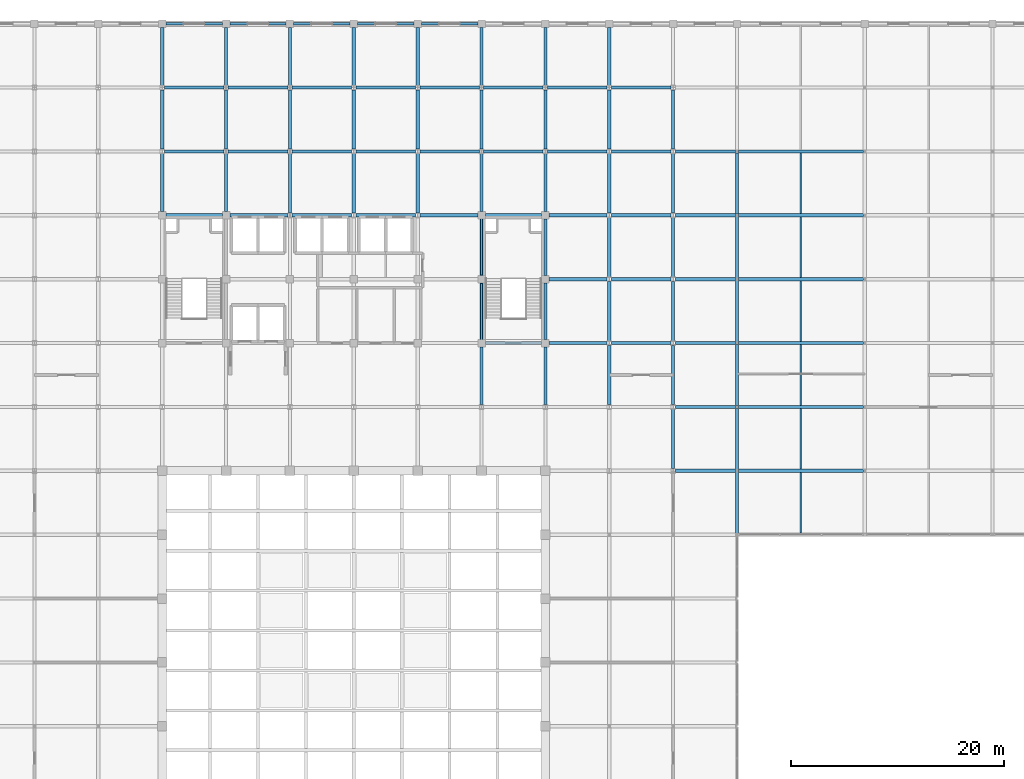
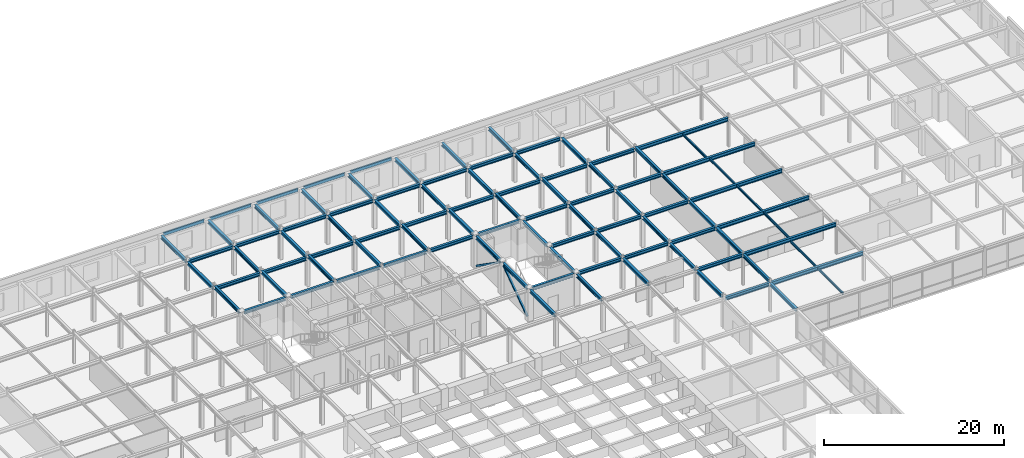
# One storey, part 80 of 111: 97 beams, 2 members.
"""IFC4 building model written with IfcOpenShell, lengths in metres."""

from ifc_helpers import new_model, si_unit, direction, frame, origin, origin_2d, place, context, subcontext, project, spatial, hollow_rectangle, i_section, extrude, material, material_profile, profile_set, type_object, element, save


model = new_model("IFC4")

# Units and contexts
model_context = context("Model", 3, precision=1e-05, world=origin(), true_north=direction((0.0, 1.0)))
body_context = subcontext(model_context, "Body", "Model", "MODEL_VIEW")
ifc_project = project(units=[si_unit("LENGTHUNIT", "METRE"), si_unit("AREAUNIT", "SQUARE_METRE"), si_unit("VOLUMEUNIT", "CUBIC_METRE"), si_unit("PLANEANGLEUNIT", "RADIAN"), si_unit("MASSUNIT", "GRAM", prefix="KILO")], contexts=[model_context])

# Site, building, storey
site_placement = place(None, origin())
site = spatial("IfcSite", under=ifc_project, at=site_placement, CompositionType="ELEMENT")
building_placement = place(site_placement, origin())
building = spatial("IfcBuilding", under=site, at=building_placement, Name="Zlatovratsky Civic Hall", CompositionType="ELEMENT")
storey_placement = place(building_placement, frame((0.0, 0.0, 16.5)))
storey = spatial("IfcBuildingStorey", under=building, at=storey_placement, Name="L04", CompositionType="ELEMENT", Elevation=16.5)

# Beams
ifc_material = material(Name="Steel S355", Category="steel")
ifc_material_profile_1 = material_profile(ifc_material, i_section(OverallWidth=0.300048828125, OverallDepth=0.487060546875, WebThickness=0.014404296875, FlangeThickness=0.017578125, FilletRadius=0.02392578125, at=origin_2d()), Name="50Sh2")
ifc_profile_set_1 = profile_set([ifc_material_profile_1], Name="Steel S355")
beam_type_1 = type_object("IfcBeamType", Name="Beam_ArchiveGirder_50Sh2", PredefinedType="BEAM", material=ifc_profile_set_1)
for number, where, z_axis, x_axis, name in (
    (1, (120.125, 72.0, 3.756591796875), (1.0, 0.0, 0.0), (0.0, 1.0, 0.0), "BM-3357"),
    (2, (120.125, 78.0, 4.03662109375), (1.0, 0.0, 0.0), (0.0, 1.0, 0.0), "BM-3379"),
    (3, (120.125, 84.0, 4.03662109375), (1.0, 0.0, 0.0), (0.0, 1.0, 0.0), "BM-3401"),
    (4, (120.125, 90.0, 4.03662109375), (1.0, 0.0, 0.0), (0.0, 1.0, 0.0), "BM-3420"),
    (5, (120.125, 96.0, 4.03662109375), (1.0, 0.0, 0.0), (0.0, 1.0, 0.0), "BM-3441"),
    (6, (120.125, 102.0, 3.756591796875), (1.0, 0.0, 0.0), (0.0, 1.0, 0.0), "BM-3463"),
):
    element("IfcBeam", number, at=place(storey_placement, frame(where, z_axis=z_axis, x_axis=x_axis)), inside=storey, type_object=beam_type_1, Name=name, PredefinedType="BEAM", context=body_context, shape_type="SweptSolid", body=[
        extrude(i_section(OverallWidth=0.300048828125, OverallDepth=0.487060546875, WebThickness=0.014404296875, FlangeThickness=0.017578125, FilletRadius=0.02392578125, at=origin_2d()), origin(), (0.0, 0.0, 1.0), 11.75),
    ])
ifc_material_profile_2 = material_profile(ifc_material, i_section(OverallWidth=0.198974609375, OverallDepth=0.491943359375, WebThickness=0.0087890625, FlangeThickness=0.011962890625, FilletRadius=0.01611328125, at=origin_2d()), Name="50B1")
ifc_profile_set_2 = profile_set([ifc_material_profile_2], Name="Steel S355")
beam_type_2 = type_object("IfcBeamType", Name="Beam_Spandrel_50B1", PredefinedType="SPANDREL", material=ifc_profile_set_2)
for number, where, z_axis, x_axis, name in (
    (7, (66.35009765625, 114.0, 3.75390625), (1.0, 0.0, 0.0), (0.0, 1.0, 0.0), "BM-3498"),
    (8, (72.35009765625, 114.0, 3.75390625), (1.0, 0.0, 0.0), (0.0, 1.0, 0.0), "BM-3499"),
    (9, (78.35009765625, 114.0, 3.75390625), (1.0, 0.0, 0.0), (0.0, 1.0, 0.0), "BM-3500"),
    (10, (84.35009765625, 114.0, 3.75390625), (1.0, 0.0, 0.0), (0.0, 1.0, 0.0), "BM-3501"),
    (11, (90.35009765625, 114.0, 3.75390625), (1.0, 0.0, 0.0), (0.0, 1.0, 0.0), "BM-3502"),
):
    element("IfcBeam", number, at=place(storey_placement, frame(where, z_axis=z_axis, x_axis=x_axis)), inside=storey, type_object=beam_type_2, Name=name, PredefinedType="SPANDREL", context=body_context, shape_type="SweptSolid", body=[
        extrude(i_section(OverallWidth=0.198974609375, OverallDepth=0.491943359375, WebThickness=0.0087890625, FlangeThickness=0.011962890625, FilletRadius=0.01611328125, at=origin_2d()), origin(), (0.0, 0.0, 1.0), 5.2998046875),
    ])
ifc_material_profile_3 = material_profile(ifc_material, i_section(OverallWidth=0.300048828125, OverallDepth=0.43994140625, WebThickness=0.010986328125, FlangeThickness=0.01806640625, FilletRadius=0.02197265625, at=origin_2d()), Name="45Sh1")
ifc_profile_set_3 = profile_set([ifc_material_profile_3], Name="Steel S355")
beam_type_3 = type_object("IfcBeamType", Name="Beam_TowerLow_45Sh1", PredefinedType="BEAM", material=ifc_profile_set_3)
for number, where, z_axis, x_axis, name in (
    (12, (114.202392578125, 72.0, 3.780029296875), (1.0, 0.0, 0.0), (0.0, 1.0, 0.0), "BM-3356"),
    (13, (114.202392578125, 78.0, 4.06005859375), (1.0, 0.0, 0.0), (0.0, 1.0, 0.0), "BM-3378"),
):
    element("IfcBeam", number, at=place(storey_placement, frame(where, z_axis=z_axis, x_axis=x_axis)), inside=storey, type_object=beam_type_3, Name=name, PredefinedType="BEAM", context=body_context, shape_type="SweptSolid", body=[
        extrude(i_section(OverallWidth=0.300048828125, OverallDepth=0.43994140625, WebThickness=0.010986328125, FlangeThickness=0.01806640625, FilletRadius=0.02197265625, at=origin_2d()), origin(), (0.0, 0.0, 1.0), 5.672607421875),
    ])
beam_1_placement = place(storey_placement, frame((96.35009765625, 84.0, 4.1201171875), z_axis=(1.0, 0.0, 0.0), x_axis=(0.0, 1.0, 0.0)))
element("IfcBeam", 14, at=beam_1_placement, inside=storey, type_object=beam_type_3, Name="BM-3397", PredefinedType="BEAM", context=body_context, shape_type="SweptSolid", body=[
    extrude(i_section(OverallWidth=0.300048828125, OverallDepth=0.43994140625, WebThickness=0.010986328125, FlangeThickness=0.01806640625, FilletRadius=0.02197265625, at=origin_2d()), origin(), (0.0, 0.0, 1.0), 5.2998046875),
])
beam_2_placement = place(storey_placement, frame((102.35009765625, 84.0, 4.1201171875), z_axis=(1.0, 0.0, 0.0), x_axis=(0.0, 1.0, 0.0)))
element("IfcBeam", 15, at=beam_2_placement, inside=storey, type_object=beam_type_3, Name="BM-3398", PredefinedType="BEAM", context=body_context, shape_type="SweptSolid", body=[
    extrude(i_section(OverallWidth=0.300048828125, OverallDepth=0.43994140625, WebThickness=0.010986328125, FlangeThickness=0.01806640625, FilletRadius=0.02197265625, at=origin_2d()), origin(), (0.0, 0.0, 1.0), 5.447509765625),
])
beam_3_placement = place(storey_placement, frame((108.202392578125, 84.0, 4.1201171875), z_axis=(1.0, 0.0, 0.0), x_axis=(0.0, 1.0, 0.0)))
element("IfcBeam", 16, at=beam_3_placement, inside=storey, type_object=beam_type_3, Name="BM-3399", PredefinedType="BEAM", context=body_context, shape_type="SweptSolid", body=[
    extrude(i_section(OverallWidth=0.300048828125, OverallDepth=0.43994140625, WebThickness=0.010986328125, FlangeThickness=0.01806640625, FilletRadius=0.02197265625, at=origin_2d()), origin(), (0.0, 0.0, 1.0), 5.59521484375),
])
beam_4_placement = place(storey_placement, frame((114.202392578125, 84.0, 4.06005859375), z_axis=(1.0, 0.0, 0.0), x_axis=(0.0, 1.0, 0.0)))
element("IfcBeam", 17, at=beam_4_placement, inside=storey, type_object=beam_type_3, Name="BM-3400", PredefinedType="BEAM", context=body_context, shape_type="SweptSolid", body=[
    extrude(i_section(OverallWidth=0.300048828125, OverallDepth=0.43994140625, WebThickness=0.010986328125, FlangeThickness=0.01806640625, FilletRadius=0.02197265625, at=origin_2d()), origin(), (0.0, 0.0, 1.0), 5.672607421875),
])
beam_5_placement = place(storey_placement, frame((102.35009765625, 90.0, 4.1201171875), z_axis=(1.0, 0.0, 0.0), x_axis=(0.0, 1.0, 0.0)))
element("IfcBeam", 18, at=beam_5_placement, inside=storey, type_object=beam_type_3, Name="BM-3417", PredefinedType="BEAM", context=body_context, shape_type="SweptSolid", body=[
    extrude(i_section(OverallWidth=0.300048828125, OverallDepth=0.43994140625, WebThickness=0.010986328125, FlangeThickness=0.01806640625, FilletRadius=0.02197265625, at=origin_2d()), origin(), (0.0, 0.0, 1.0), 5.447509765625),
])
beam_6_placement = place(storey_placement, frame((108.202392578125, 90.0, 4.1201171875), z_axis=(1.0, 0.0, 0.0), x_axis=(0.0, 1.0, 0.0)))
element("IfcBeam", 19, at=beam_6_placement, inside=storey, type_object=beam_type_3, Name="BM-3418", PredefinedType="BEAM", context=body_context, shape_type="SweptSolid", body=[
    extrude(i_section(OverallWidth=0.300048828125, OverallDepth=0.43994140625, WebThickness=0.010986328125, FlangeThickness=0.01806640625, FilletRadius=0.02197265625, at=origin_2d()), origin(), (0.0, 0.0, 1.0), 5.59521484375),
])
beam_7_placement = place(storey_placement, frame((114.202392578125, 90.0, 4.06005859375), z_axis=(1.0, 0.0, 0.0), x_axis=(0.0, 1.0, 0.0)))
element("IfcBeam", 20, at=beam_7_placement, inside=storey, type_object=beam_type_3, Name="BM-3419", PredefinedType="BEAM", context=body_context, shape_type="SweptSolid", body=[
    extrude(i_section(OverallWidth=0.300048828125, OverallDepth=0.43994140625, WebThickness=0.010986328125, FlangeThickness=0.01806640625, FilletRadius=0.02197265625, at=origin_2d()), origin(), (0.0, 0.0, 1.0), 5.672607421875),
])
beam_8_placement = place(storey_placement, frame((66.35009765625, 96.0, 4.1201171875), z_axis=(1.0, 0.0, 0.0), x_axis=(0.0, 1.0, 0.0)))
element("IfcBeam", 21, at=beam_8_placement, inside=storey, type_object=beam_type_3, Name="BM-3432", PredefinedType="BEAM", context=body_context, shape_type="SweptSolid", body=[
    extrude(i_section(OverallWidth=0.300048828125, OverallDepth=0.43994140625, WebThickness=0.010986328125, FlangeThickness=0.01806640625, FilletRadius=0.02197265625, at=origin_2d()), origin(), (0.0, 0.0, 1.0), 5.2998046875),
])
beam_9_placement = place(storey_placement, frame((72.35009765625, 96.0, 4.1201171875), z_axis=(1.0, 0.0, 0.0), x_axis=(0.0, 1.0, 0.0)))
element("IfcBeam", 22, at=beam_9_placement, inside=storey, type_object=beam_type_3, Name="BM-3433", PredefinedType="BEAM", context=body_context, shape_type="SweptSolid", body=[
    extrude(i_section(OverallWidth=0.300048828125, OverallDepth=0.43994140625, WebThickness=0.010986328125, FlangeThickness=0.01806640625, FilletRadius=0.02197265625, at=origin_2d()), origin(), (0.0, 0.0, 1.0), 5.447509765625),
])
for number, where, z_axis, x_axis, name in (
    (23, (78.202392578125, 96.0, 4.1201171875), (1.0, 0.0, 0.0), (0.0, 1.0, 0.0), "BM-3434"),
    (24, (84.202392578125, 96.0, 4.1201171875), (1.0, 0.0, 0.0), (0.0, 1.0, 0.0), "BM-3435"),
):
    element("IfcBeam", number, at=place(storey_placement, frame(where, z_axis=z_axis, x_axis=x_axis)), inside=storey, type_object=beam_type_3, Name=name, PredefinedType="BEAM", context=body_context, shape_type="SweptSolid", body=[
        extrude(i_section(OverallWidth=0.300048828125, OverallDepth=0.43994140625, WebThickness=0.010986328125, FlangeThickness=0.01806640625, FilletRadius=0.02197265625, at=origin_2d()), origin(), (0.0, 0.0, 1.0), 5.59521484375),
    ])
beam_10_placement = place(storey_placement, frame((90.202392578125, 96.0, 4.1201171875), z_axis=(1.0, 0.0, 0.0), x_axis=(0.0, 1.0, 0.0)))
element("IfcBeam", 25, at=beam_10_placement, inside=storey, type_object=beam_type_3, Name="BM-3436", PredefinedType="BEAM", context=body_context, shape_type="SweptSolid", body=[
    extrude(i_section(OverallWidth=0.300048828125, OverallDepth=0.43994140625, WebThickness=0.010986328125, FlangeThickness=0.01806640625, FilletRadius=0.02197265625, at=origin_2d()), origin(), (0.0, 0.0, 1.0), 5.447509765625),
])
beam_11_placement = place(storey_placement, frame((96.35009765625, 96.0, 4.1201171875), z_axis=(1.0, 0.0, 0.0), x_axis=(0.0, 1.0, 0.0)))
element("IfcBeam", 26, at=beam_11_placement, inside=storey, type_object=beam_type_3, Name="BM-3437", PredefinedType="BEAM", context=body_context, shape_type="SweptSolid", body=[
    extrude(i_section(OverallWidth=0.300048828125, OverallDepth=0.43994140625, WebThickness=0.010986328125, FlangeThickness=0.01806640625, FilletRadius=0.02197265625, at=origin_2d()), origin(), (0.0, 0.0, 1.0), 5.2998046875),
])
beam_12_placement = place(storey_placement, frame((102.35009765625, 96.0, 4.1201171875), z_axis=(1.0, 0.0, 0.0), x_axis=(0.0, 1.0, 0.0)))
element("IfcBeam", 27, at=beam_12_placement, inside=storey, type_object=beam_type_3, Name="BM-3438", PredefinedType="BEAM", context=body_context, shape_type="SweptSolid", body=[
    extrude(i_section(OverallWidth=0.300048828125, OverallDepth=0.43994140625, WebThickness=0.010986328125, FlangeThickness=0.01806640625, FilletRadius=0.02197265625, at=origin_2d()), origin(), (0.0, 0.0, 1.0), 5.447509765625),
])
beam_13_placement = place(storey_placement, frame((108.202392578125, 96.0, 4.1201171875), z_axis=(1.0, 0.0, 0.0), x_axis=(0.0, 1.0, 0.0)))
element("IfcBeam", 28, at=beam_13_placement, inside=storey, type_object=beam_type_3, Name="BM-3439", PredefinedType="BEAM", context=body_context, shape_type="SweptSolid", body=[
    extrude(i_section(OverallWidth=0.300048828125, OverallDepth=0.43994140625, WebThickness=0.010986328125, FlangeThickness=0.01806640625, FilletRadius=0.02197265625, at=origin_2d()), origin(), (0.0, 0.0, 1.0), 5.59521484375),
])
beam_14_placement = place(storey_placement, frame((114.202392578125, 96.0, 4.06005859375), z_axis=(1.0, 0.0, 0.0), x_axis=(0.0, 1.0, 0.0)))
element("IfcBeam", 29, at=beam_14_placement, inside=storey, type_object=beam_type_3, Name="BM-3440", PredefinedType="BEAM", context=body_context, shape_type="SweptSolid", body=[
    extrude(i_section(OverallWidth=0.300048828125, OverallDepth=0.43994140625, WebThickness=0.010986328125, FlangeThickness=0.01806640625, FilletRadius=0.02197265625, at=origin_2d()), origin(), (0.0, 0.0, 1.0), 5.672607421875),
])
for number, where, z_axis, x_axis, name in (
    (30, (66.202392578125, 102.0, 3.780029296875), (1.0, 0.0, 0.0), (0.0, 1.0, 0.0), "BM-3454"),
    (31, (72.202392578125, 102.0, 3.780029296875), (1.0, 0.0, 0.0), (0.0, 1.0, 0.0), "BM-3455"),
    (32, (78.202392578125, 102.0, 3.780029296875), (1.0, 0.0, 0.0), (0.0, 1.0, 0.0), "BM-3456"),
    (33, (84.202392578125, 102.0, 3.780029296875), (1.0, 0.0, 0.0), (0.0, 1.0, 0.0), "BM-3457"),
    (34, (90.202392578125, 102.0, 3.780029296875), (1.0, 0.0, 0.0), (0.0, 1.0, 0.0), "BM-3458"),
    (35, (96.202392578125, 102.0, 3.780029296875), (1.0, 0.0, 0.0), (0.0, 1.0, 0.0), "BM-3459"),
    (36, (102.202392578125, 102.0, 3.780029296875), (1.0, 0.0, 0.0), (0.0, 1.0, 0.0), "BM-3460"),
    (37, (108.202392578125, 102.0, 3.780029296875), (1.0, 0.0, 0.0), (0.0, 1.0, 0.0), "BM-3461"),
):
    element("IfcBeam", number, at=place(storey_placement, frame(where, z_axis=z_axis, x_axis=x_axis)), inside=storey, type_object=beam_type_3, Name=name, PredefinedType="BEAM", context=body_context, shape_type="SweptSolid", body=[
        extrude(i_section(OverallWidth=0.300048828125, OverallDepth=0.43994140625, WebThickness=0.010986328125, FlangeThickness=0.01806640625, FilletRadius=0.02197265625, at=origin_2d()), origin(), (0.0, 0.0, 1.0), 5.59521484375),
    ])
beam_15_placement = place(storey_placement, frame((114.202392578125, 102.0, 3.780029296875), z_axis=(1.0, 0.0, 0.0), x_axis=(0.0, 1.0, 0.0)))
element("IfcBeam", 38, at=beam_15_placement, inside=storey, type_object=beam_type_3, Name="BM-3462", PredefinedType="BEAM", context=body_context, shape_type="SweptSolid", body=[
    extrude(i_section(OverallWidth=0.300048828125, OverallDepth=0.43994140625, WebThickness=0.010986328125, FlangeThickness=0.01806640625, FilletRadius=0.02197265625, at=origin_2d()), origin(), (0.0, 0.0, 1.0), 5.672607421875),
])
for number, where, z_axis, x_axis, name in (
    (39, (66.202392578125, 108.0, 3.780029296875), (1.0, 0.0, 0.0), (0.0, 1.0, 0.0), "BM-3476"),
    (40, (72.202392578125, 108.0, 3.780029296875), (1.0, 0.0, 0.0), (0.0, 1.0, 0.0), "BM-3477"),
    (41, (78.202392578125, 108.0, 3.780029296875), (1.0, 0.0, 0.0), (0.0, 1.0, 0.0), "BM-3478"),
    (42, (84.202392578125, 108.0, 3.780029296875), (1.0, 0.0, 0.0), (0.0, 1.0, 0.0), "BM-3479"),
    (43, (90.202392578125, 108.0, 3.780029296875), (1.0, 0.0, 0.0), (0.0, 1.0, 0.0), "BM-3480"),
    (44, (96.202392578125, 108.0, 3.780029296875), (1.0, 0.0, 0.0), (0.0, 1.0, 0.0), "BM-3481"),
    (45, (102.202392578125, 108.0, 3.780029296875), (1.0, 0.0, 0.0), (0.0, 1.0, 0.0), "BM-3482"),
    (46, (108.202392578125, 108.0, 3.780029296875), (1.0, 0.0, 0.0), (0.0, 1.0, 0.0), "BM-3483"),
):
    element("IfcBeam", number, at=place(storey_placement, frame(where, z_axis=z_axis, x_axis=x_axis)), inside=storey, type_object=beam_type_3, Name=name, PredefinedType="BEAM", context=body_context, shape_type="SweptSolid", body=[
        extrude(i_section(OverallWidth=0.300048828125, OverallDepth=0.43994140625, WebThickness=0.010986328125, FlangeThickness=0.01806640625, FilletRadius=0.02197265625, at=origin_2d()), origin(), (0.0, 0.0, 1.0), 5.59521484375),
    ])
beam_16_placement = place(storey_placement, frame((66.0, 96.35009765625, 4.1201171875), z_axis=(0.0, 1.0, 0.0), x_axis=(-1.0, 0.0, 0.0)))
element("IfcBeam", 47, at=beam_16_placement, inside=storey, type_object=beam_type_3, Name="BM-3643", PredefinedType="BEAM", context=body_context, shape_type="SweptSolid", body=[
    extrude(i_section(OverallWidth=0.300048828125, OverallDepth=0.43994140625, WebThickness=0.010986328125, FlangeThickness=0.01806640625, FilletRadius=0.02197265625, at=origin_2d()), origin(), (0.0, 0.0, 1.0), 5.44091796875),
])
beam_17_placement = place(storey_placement, frame((66.0, 102.208984375, 3.780029296875), z_axis=(0.0, 1.0, 0.0), x_axis=(-1.0, 0.0, 0.0)))
element("IfcBeam", 48, at=beam_17_placement, inside=storey, type_object=beam_type_3, Name="BM-3644", PredefinedType="BEAM", context=body_context, shape_type="SweptSolid", body=[
    extrude(i_section(OverallWidth=0.300048828125, OverallDepth=0.43994140625, WebThickness=0.010986328125, FlangeThickness=0.01806640625, FilletRadius=0.02197265625, at=origin_2d()), origin(), (0.0, 0.0, 1.0), 5.58203125),
])
for number, where, z_axis, x_axis, name in (
    (49, (66.0, 108.208984375, 3.780029296875), (0.0, 1.0, 0.0), (-1.0, 0.0, 0.0), "BM-3645"),
    (50, (72.0, 96.35009765625, 4.1201171875), (0.0, 1.0, 0.0), (-1.0, 0.0, 0.0), "BM-3654"),
):
    element("IfcBeam", number, at=place(storey_placement, frame(where, z_axis=z_axis, x_axis=x_axis)), inside=storey, type_object=beam_type_3, Name=name, PredefinedType="BEAM", context=body_context, shape_type="SweptSolid", body=[
        extrude(i_section(OverallWidth=0.300048828125, OverallDepth=0.43994140625, WebThickness=0.010986328125, FlangeThickness=0.01806640625, FilletRadius=0.02197265625, at=origin_2d()), origin(), (0.0, 0.0, 1.0), 5.44091796875),
    ])
beam_18_placement = place(storey_placement, frame((72.0, 102.208984375, 3.780029296875), z_axis=(0.0, 1.0, 0.0), x_axis=(-1.0, 0.0, 0.0)))
element("IfcBeam", 51, at=beam_18_placement, inside=storey, type_object=beam_type_3, Name="BM-3655", PredefinedType="BEAM", context=body_context, shape_type="SweptSolid", body=[
    extrude(i_section(OverallWidth=0.300048828125, OverallDepth=0.43994140625, WebThickness=0.010986328125, FlangeThickness=0.01806640625, FilletRadius=0.02197265625, at=origin_2d()), origin(), (0.0, 0.0, 1.0), 5.58203125),
])
beam_19_placement = place(storey_placement, frame((72.0, 108.208984375, 3.780029296875), z_axis=(0.0, 1.0, 0.0), x_axis=(-1.0, 0.0, 0.0)))
element("IfcBeam", 52, at=beam_19_placement, inside=storey, type_object=beam_type_3, Name="BM-3656", PredefinedType="BEAM", context=body_context, shape_type="SweptSolid", body=[
    extrude(i_section(OverallWidth=0.300048828125, OverallDepth=0.43994140625, WebThickness=0.010986328125, FlangeThickness=0.01806640625, FilletRadius=0.02197265625, at=origin_2d()), origin(), (0.0, 0.0, 1.0), 5.44091796875),
])
for number, where, z_axis, x_axis, name in (
    (53, (78.0, 96.208984375, 4.1201171875), (0.0, 1.0, 0.0), (-1.0, 0.0, 0.0), "BM-3663"),
    (54, (78.0, 102.208984375, 3.780029296875), (0.0, 1.0, 0.0), (-1.0, 0.0, 0.0), "BM-3664"),
):
    element("IfcBeam", number, at=place(storey_placement, frame(where, z_axis=z_axis, x_axis=x_axis)), inside=storey, type_object=beam_type_3, Name=name, PredefinedType="BEAM", context=body_context, shape_type="SweptSolid", body=[
        extrude(i_section(OverallWidth=0.300048828125, OverallDepth=0.43994140625, WebThickness=0.010986328125, FlangeThickness=0.01806640625, FilletRadius=0.02197265625, at=origin_2d()), origin(), (0.0, 0.0, 1.0), 5.58203125),
    ])
beam_20_placement = place(storey_placement, frame((78.0, 108.208984375, 3.780029296875), z_axis=(0.0, 1.0, 0.0), x_axis=(-1.0, 0.0, 0.0)))
element("IfcBeam", 55, at=beam_20_placement, inside=storey, type_object=beam_type_3, Name="BM-3665", PredefinedType="BEAM", context=body_context, shape_type="SweptSolid", body=[
    extrude(i_section(OverallWidth=0.300048828125, OverallDepth=0.43994140625, WebThickness=0.010986328125, FlangeThickness=0.01806640625, FilletRadius=0.02197265625, at=origin_2d()), origin(), (0.0, 0.0, 1.0), 5.44091796875),
])
for number, where, z_axis, x_axis, name in (
    (56, (84.0, 96.208984375, 4.1201171875), (0.0, 1.0, 0.0), (-1.0, 0.0, 0.0), "BM-3672"),
    (57, (84.0, 102.208984375, 3.780029296875), (0.0, 1.0, 0.0), (-1.0, 0.0, 0.0), "BM-3673"),
):
    element("IfcBeam", number, at=place(storey_placement, frame(where, z_axis=z_axis, x_axis=x_axis)), inside=storey, type_object=beam_type_3, Name=name, PredefinedType="BEAM", context=body_context, shape_type="SweptSolid", body=[
        extrude(i_section(OverallWidth=0.300048828125, OverallDepth=0.43994140625, WebThickness=0.010986328125, FlangeThickness=0.01806640625, FilletRadius=0.02197265625, at=origin_2d()), origin(), (0.0, 0.0, 1.0), 5.58203125),
    ])
beam_21_placement = place(storey_placement, frame((84.0, 108.208984375, 3.780029296875), z_axis=(0.0, 1.0, 0.0), x_axis=(-1.0, 0.0, 0.0)))
element("IfcBeam", 58, at=beam_21_placement, inside=storey, type_object=beam_type_3, Name="BM-3674", PredefinedType="BEAM", context=body_context, shape_type="SweptSolid", body=[
    extrude(i_section(OverallWidth=0.300048828125, OverallDepth=0.43994140625, WebThickness=0.010986328125, FlangeThickness=0.01806640625, FilletRadius=0.02197265625, at=origin_2d()), origin(), (0.0, 0.0, 1.0), 5.44091796875),
])
for number, where, z_axis, x_axis, name in (
    (59, (90.0, 96.208984375, 4.1201171875), (0.0, 1.0, 0.0), (-1.0, 0.0, 0.0), "BM-3681"),
    (60, (90.0, 102.208984375, 3.780029296875), (0.0, 1.0, 0.0), (-1.0, 0.0, 0.0), "BM-3682"),
):
    element("IfcBeam", number, at=place(storey_placement, frame(where, z_axis=z_axis, x_axis=x_axis)), inside=storey, type_object=beam_type_3, Name=name, PredefinedType="BEAM", context=body_context, shape_type="SweptSolid", body=[
        extrude(i_section(OverallWidth=0.300048828125, OverallDepth=0.43994140625, WebThickness=0.010986328125, FlangeThickness=0.01806640625, FilletRadius=0.02197265625, at=origin_2d()), origin(), (0.0, 0.0, 1.0), 5.58203125),
    ])
for number, where, z_axis, x_axis, name in (
    (61, (90.0, 108.208984375, 3.780029296875), (0.0, 1.0, 0.0), (-1.0, 0.0, 0.0), "BM-3683"),
    (62, (96.0, 78.208984375, 4.1201171875), (0.0, 1.0, 0.0), (-1.0, 0.0, 0.0), "BM-3689"),
):
    element("IfcBeam", number, at=place(storey_placement, frame(where, z_axis=z_axis, x_axis=x_axis)), inside=storey, type_object=beam_type_3, Name=name, PredefinedType="BEAM", context=body_context, shape_type="SweptSolid", body=[
        extrude(i_section(OverallWidth=0.300048828125, OverallDepth=0.43994140625, WebThickness=0.010986328125, FlangeThickness=0.01806640625, FilletRadius=0.02197265625, at=origin_2d()), origin(), (0.0, 0.0, 1.0), 5.44091796875),
    ])
for number, where, z_axis, x_axis, name in (
    (63, (96.0, 84.35009765625, 4.1201171875), (0.0, 1.0, 0.0), (-1.0, 0.0, 0.0), "BM-3690"),
    (64, (96.0, 90.35009765625, 4.1201171875), (0.0, 1.0, 0.0), (-1.0, 0.0, 0.0), "BM-3691"),
):
    element("IfcBeam", number, at=place(storey_placement, frame(where, z_axis=z_axis, x_axis=x_axis)), inside=storey, type_object=beam_type_3, Name=name, PredefinedType="BEAM", context=body_context, shape_type="SweptSolid", body=[
        extrude(i_section(OverallWidth=0.300048828125, OverallDepth=0.43994140625, WebThickness=0.010986328125, FlangeThickness=0.01806640625, FilletRadius=0.02197265625, at=origin_2d()), origin(), (0.0, 0.0, 1.0), 5.2998046875),
    ])
beam_22_placement = place(storey_placement, frame((96.0, 96.35009765625, 4.1201171875), z_axis=(0.0, 1.0, 0.0), x_axis=(-1.0, 0.0, 0.0)))
element("IfcBeam", 65, at=beam_22_placement, inside=storey, type_object=beam_type_3, Name="BM-3692", PredefinedType="BEAM", context=body_context, shape_type="SweptSolid", body=[
    extrude(i_section(OverallWidth=0.300048828125, OverallDepth=0.43994140625, WebThickness=0.010986328125, FlangeThickness=0.01806640625, FilletRadius=0.02197265625, at=origin_2d()), origin(), (0.0, 0.0, 1.0), 5.44091796875),
])
beam_23_placement = place(storey_placement, frame((96.0, 102.208984375, 3.780029296875), z_axis=(0.0, 1.0, 0.0), x_axis=(-1.0, 0.0, 0.0)))
element("IfcBeam", 66, at=beam_23_placement, inside=storey, type_object=beam_type_3, Name="BM-3693", PredefinedType="BEAM", context=body_context, shape_type="SweptSolid", body=[
    extrude(i_section(OverallWidth=0.300048828125, OverallDepth=0.43994140625, WebThickness=0.010986328125, FlangeThickness=0.01806640625, FilletRadius=0.02197265625, at=origin_2d()), origin(), (0.0, 0.0, 1.0), 5.58203125),
])
for number, where, z_axis, x_axis, name in (
    (67, (96.0, 108.208984375, 3.780029296875), (0.0, 1.0, 0.0), (-1.0, 0.0, 0.0), "BM-3694"),
    (68, (102.0, 78.208984375, 4.1201171875), (0.0, 1.0, 0.0), (-1.0, 0.0, 0.0), "BM-3700"),
):
    element("IfcBeam", number, at=place(storey_placement, frame(where, z_axis=z_axis, x_axis=x_axis)), inside=storey, type_object=beam_type_3, Name=name, PredefinedType="BEAM", context=body_context, shape_type="SweptSolid", body=[
        extrude(i_section(OverallWidth=0.300048828125, OverallDepth=0.43994140625, WebThickness=0.010986328125, FlangeThickness=0.01806640625, FilletRadius=0.02197265625, at=origin_2d()), origin(), (0.0, 0.0, 1.0), 5.44091796875),
    ])
for number, where, z_axis, x_axis, name in (
    (69, (102.0, 84.35009765625, 4.1201171875), (0.0, 1.0, 0.0), (-1.0, 0.0, 0.0), "BM-3701"),
    (70, (102.0, 90.35009765625, 4.1201171875), (0.0, 1.0, 0.0), (-1.0, 0.0, 0.0), "BM-3702"),
):
    element("IfcBeam", number, at=place(storey_placement, frame(where, z_axis=z_axis, x_axis=x_axis)), inside=storey, type_object=beam_type_3, Name=name, PredefinedType="BEAM", context=body_context, shape_type="SweptSolid", body=[
        extrude(i_section(OverallWidth=0.300048828125, OverallDepth=0.43994140625, WebThickness=0.010986328125, FlangeThickness=0.01806640625, FilletRadius=0.02197265625, at=origin_2d()), origin(), (0.0, 0.0, 1.0), 5.2998046875),
    ])
beam_24_placement = place(storey_placement, frame((102.0, 96.35009765625, 4.1201171875), z_axis=(0.0, 1.0, 0.0), x_axis=(-1.0, 0.0, 0.0)))
element("IfcBeam", 71, at=beam_24_placement, inside=storey, type_object=beam_type_3, Name="BM-3703", PredefinedType="BEAM", context=body_context, shape_type="SweptSolid", body=[
    extrude(i_section(OverallWidth=0.300048828125, OverallDepth=0.43994140625, WebThickness=0.010986328125, FlangeThickness=0.01806640625, FilletRadius=0.02197265625, at=origin_2d()), origin(), (0.0, 0.0, 1.0), 5.44091796875),
])
beam_25_placement = place(storey_placement, frame((102.0, 102.208984375, 3.780029296875), z_axis=(0.0, 1.0, 0.0), x_axis=(-1.0, 0.0, 0.0)))
element("IfcBeam", 72, at=beam_25_placement, inside=storey, type_object=beam_type_3, Name="BM-3704", PredefinedType="BEAM", context=body_context, shape_type="SweptSolid", body=[
    extrude(i_section(OverallWidth=0.300048828125, OverallDepth=0.43994140625, WebThickness=0.010986328125, FlangeThickness=0.01806640625, FilletRadius=0.02197265625, at=origin_2d()), origin(), (0.0, 0.0, 1.0), 5.58203125),
])
beam_26_placement = place(storey_placement, frame((102.0, 108.208984375, 3.780029296875), z_axis=(0.0, 1.0, 0.0), x_axis=(-1.0, 0.0, 0.0)))
element("IfcBeam", 73, at=beam_26_placement, inside=storey, type_object=beam_type_3, Name="BM-3705", PredefinedType="BEAM", context=body_context, shape_type="SweptSolid", body=[
    extrude(i_section(OverallWidth=0.300048828125, OverallDepth=0.43994140625, WebThickness=0.010986328125, FlangeThickness=0.01806640625, FilletRadius=0.02197265625, at=origin_2d()), origin(), (0.0, 0.0, 1.0), 5.44091796875),
])
for number, where, z_axis, x_axis, name in (
    (74, (108.0, 78.208984375, 4.1201171875), (0.0, 1.0, 0.0), (-1.0, 0.0, 0.0), "BM-3716"),
    (75, (108.0, 84.208984375, 4.1201171875), (0.0, 1.0, 0.0), (-1.0, 0.0, 0.0), "BM-3717"),
    (76, (108.0, 90.208984375, 4.1201171875), (0.0, 1.0, 0.0), (-1.0, 0.0, 0.0), "BM-3718"),
    (77, (108.0, 96.208984375, 4.1201171875), (0.0, 1.0, 0.0), (-1.0, 0.0, 0.0), "BM-3719"),
    (78, (108.0, 102.208984375, 3.780029296875), (0.0, 1.0, 0.0), (-1.0, 0.0, 0.0), "BM-3720"),
):
    element("IfcBeam", number, at=place(storey_placement, frame(where, z_axis=z_axis, x_axis=x_axis)), inside=storey, type_object=beam_type_3, Name=name, PredefinedType="BEAM", context=body_context, shape_type="SweptSolid", body=[
        extrude(i_section(OverallWidth=0.300048828125, OverallDepth=0.43994140625, WebThickness=0.010986328125, FlangeThickness=0.01806640625, FilletRadius=0.02197265625, at=origin_2d()), origin(), (0.0, 0.0, 1.0), 5.58203125),
    ])
beam_27_placement = place(storey_placement, frame((108.0, 108.208984375, 3.780029296875), z_axis=(0.0, 1.0, 0.0), x_axis=(-1.0, 0.0, 0.0)))
element("IfcBeam", 79, at=beam_27_placement, inside=storey, type_object=beam_type_3, Name="BM-3721", PredefinedType="BEAM", context=body_context, shape_type="SweptSolid", body=[
    extrude(i_section(OverallWidth=0.300048828125, OverallDepth=0.43994140625, WebThickness=0.010986328125, FlangeThickness=0.01806640625, FilletRadius=0.02197265625, at=origin_2d()), origin(), (0.0, 0.0, 1.0), 5.44091796875),
])
for number, where, z_axis, x_axis, name in (
    (80, (114.0, 72.208984375, 4.06005859375), (0.0, 1.0, 0.0), (-1.0, 0.0, 0.0), "BM-3732"),
    (81, (114.0, 78.208984375, 4.06005859375), (0.0, 1.0, 0.0), (-1.0, 0.0, 0.0), "BM-3733"),
    (82, (114.0, 84.208984375, 4.06005859375), (0.0, 1.0, 0.0), (-1.0, 0.0, 0.0), "BM-3734"),
    (83, (114.0, 90.208984375, 4.06005859375), (0.0, 1.0, 0.0), (-1.0, 0.0, 0.0), "BM-3735"),
    (84, (114.0, 96.208984375, 4.06005859375), (0.0, 1.0, 0.0), (-1.0, 0.0, 0.0), "BM-3736"),
    (85, (114.0, 102.208984375, 3.780029296875), (0.0, 1.0, 0.0), (-1.0, 0.0, 0.0), "BM-3737"),
):
    element("IfcBeam", number, at=place(storey_placement, frame(where, z_axis=z_axis, x_axis=x_axis)), inside=storey, type_object=beam_type_3, Name=name, PredefinedType="BEAM", context=body_context, shape_type="SweptSolid", body=[
        extrude(i_section(OverallWidth=0.300048828125, OverallDepth=0.43994140625, WebThickness=0.010986328125, FlangeThickness=0.01806640625, FilletRadius=0.02197265625, at=origin_2d()), origin(), (0.0, 0.0, 1.0), 5.58203125),
    ])
for number, where, z_axis, x_axis, name in (
    (86, (120.0, 66.125, 3.780029296875), (0.0, 1.0, 0.0), (-1.0, 0.0, 0.0), "BM-3748"),
    (87, (120.0, 72.125, 4.06005859375), (0.0, 1.0, 0.0), (-1.0, 0.0, 0.0), "BM-3749"),
    (88, (120.0, 78.125, 4.06005859375), (0.0, 1.0, 0.0), (-1.0, 0.0, 0.0), "BM-3750"),
    (89, (120.0, 84.125, 4.06005859375), (0.0, 1.0, 0.0), (-1.0, 0.0, 0.0), "BM-3751"),
    (90, (120.0, 90.125, 4.06005859375), (0.0, 1.0, 0.0), (-1.0, 0.0, 0.0), "BM-3752"),
    (91, (120.0, 96.125, 4.06005859375), (0.0, 1.0, 0.0), (-1.0, 0.0, 0.0), "BM-3753"),
):
    element("IfcBeam", number, at=place(storey_placement, frame(where, z_axis=z_axis, x_axis=x_axis)), inside=storey, type_object=beam_type_3, Name=name, PredefinedType="BEAM", context=body_context, shape_type="SweptSolid", body=[
        extrude(i_section(OverallWidth=0.300048828125, OverallDepth=0.43994140625, WebThickness=0.010986328125, FlangeThickness=0.01806640625, FilletRadius=0.02197265625, at=origin_2d()), origin(), (0.0, 0.0, 1.0), 5.75),
    ])

# Members
ifc_material_profile_4 = material_profile(ifc_material, hollow_rectangle(XDim=0.219970703125, YDim=0.219970703125, WallThickness=0.010009765625, at=origin_2d()), Name="SHS 220x220x10")
ifc_profile_set_4 = profile_set([ifc_material_profile_4], Name="Steel S355")
member_type = type_object("IfcMemberType", Name="Brace_Podium_SHS220", PredefinedType="BRACE", material=ifc_profile_set_4)
for number, where, z_axis, x_axis, name in (
    (92, (96.0, 84.35009765625, 0.25), (0.0, 0.819951728037, 0.572432671752), (-1.0, 0.0, 0.0), "MB-0118"),
    (93, (96.0, 90.35009765625, 3.949951171875), (0.0, 0.819951728037, -0.572432671752), (-1.0, 0.0, 0.0), "MB-0119"),
):
    element("IfcMember", number, at=place(storey_placement, frame(where, z_axis=z_axis, x_axis=x_axis)), inside=storey, type_object=member_type, Name=name, PredefinedType="BRACE", context=body_context, shape_type="SweptSolid", body=[
        extrude(hollow_rectangle(XDim=0.219970703125, YDim=0.219970703125, WallThickness=0.010009765625, at=origin_2d()), origin(), (0.0, 0.0, 1.0), 6.463623046875),
    ])

# Beams
ifc_material_profile_5 = material_profile(ifc_material, i_section(OverallWidth=0.14892578125, OverallDepth=0.2958984375, WebThickness=0.005615234375, FlangeThickness=0.008056640625, FilletRadius=0.012939453125, at=origin_2d()), Name="30B1")
ifc_profile_set_5 = profile_set([ifc_material_profile_5], Name="Steel S355")
beam_type_4 = type_object("IfcBeamType", Name="Joist_Tower_30B1", PredefinedType="JOIST", material=ifc_profile_set_5)
for number, where, z_axis, x_axis, name in (
    (94, (126.0, 66.14990234375, 3.85205078125), (0.0, 1.0, 0.0), (-1.0, 0.0, 0.0), "BM-3862"),
    (95, (126.0, 72.14990234375, 3.85205078125), (0.0, 1.0, 0.0), (-1.0, 0.0, 0.0), "BM-3868"),
    (96, (126.0, 78.14990234375, 4.132080078125), (0.0, 1.0, 0.0), (-1.0, 0.0, 0.0), "BM-3874"),
    (97, (126.0, 84.14990234375, 4.132080078125), (0.0, 1.0, 0.0), (-1.0, 0.0, 0.0), "BM-3880"),
    (98, (126.0, 90.14990234375, 4.132080078125), (0.0, 1.0, 0.0), (-1.0, 0.0, 0.0), "BM-3888"),
    (99, (126.0, 96.14990234375, 3.85205078125), (0.0, 1.0, 0.0), (-1.0, 0.0, 0.0), "BM-3894"),
):
    element("IfcBeam", number, at=place(storey_placement, frame(where, z_axis=z_axis, x_axis=x_axis)), inside=storey, type_object=beam_type_4, Name=name, PredefinedType="JOIST", context=body_context, shape_type="SweptSolid", body=[
        extrude(i_section(OverallWidth=0.14892578125, OverallDepth=0.2958984375, WebThickness=0.005615234375, FlangeThickness=0.008056640625, FilletRadius=0.012939453125, at=origin_2d()), origin(), (0.0, 0.0, 1.0), 5.7001953125),
    ])

save(model, "model.ifc")
